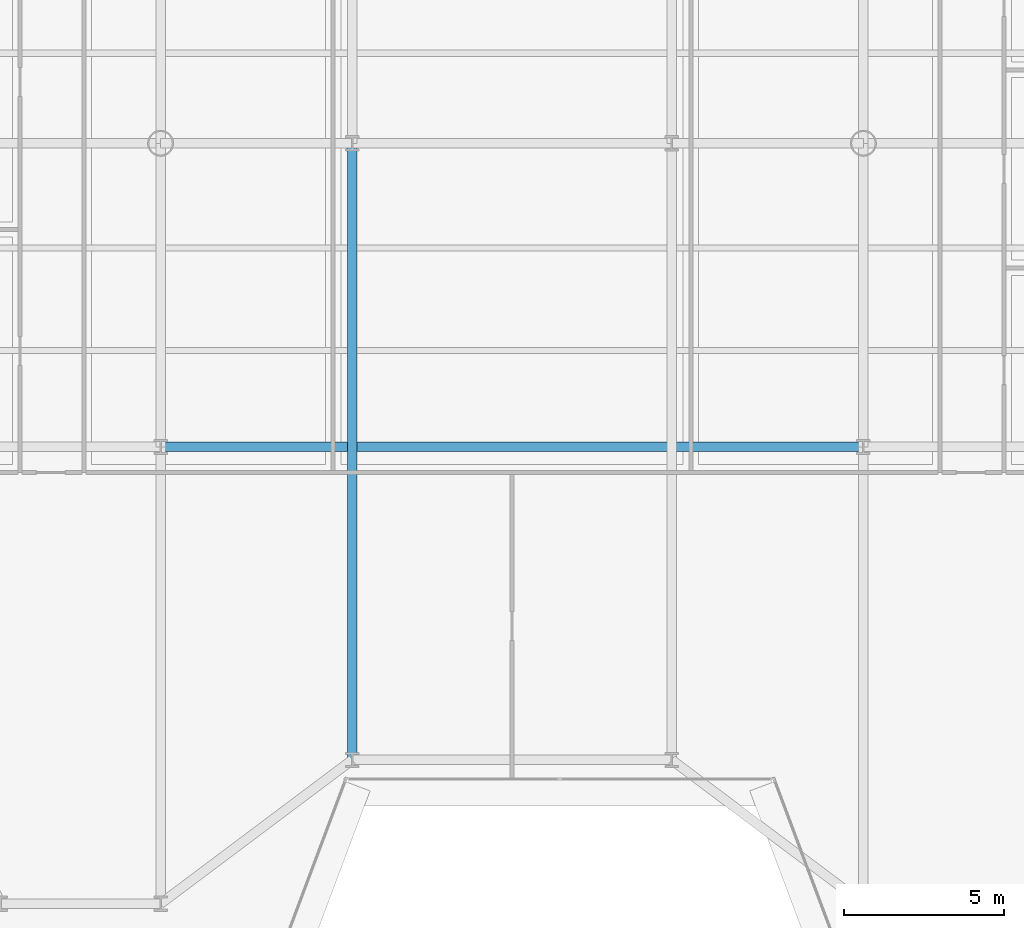
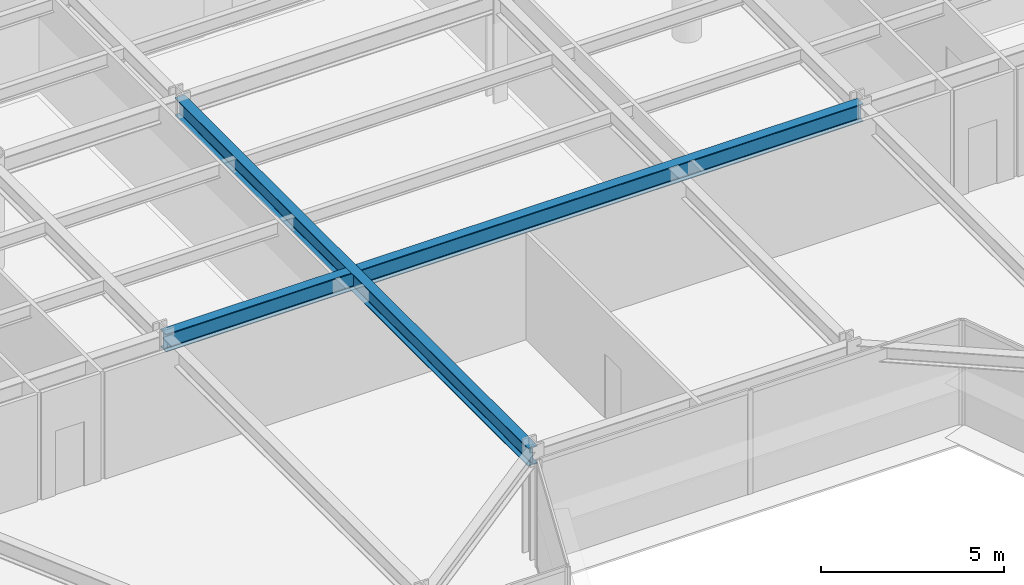
# One storey, part 3 of 17: 2 beams.
"""IFC4 building model written with IfcOpenShell, lengths in metres."""

from ifc_helpers import new_model, si_unit, direction, frame, origin, origin_2d, place, context, subcontext, project, spatial, i_section, extrude, source, transform, mapped, material, material_profile, profile_set, type_object, element, save


model = new_model("IFC4")

# Units and contexts
model_context = context("Model", 3, precision=1e-05, world=origin(), true_north=direction((0.0, 1.0)))
body_context = subcontext(model_context, "Body", "Model", "MODEL_VIEW")
ifc_project = project(units=[si_unit("LENGTHUNIT", "METRE"), si_unit("AREAUNIT", "SQUARE_METRE"), si_unit("VOLUMEUNIT", "CUBIC_METRE"), si_unit("PLANEANGLEUNIT", "RADIAN"), si_unit("MASSUNIT", "GRAM", prefix="KILO")], contexts=[model_context])

# Site, building, storey
site_placement = place(None, origin())
site = spatial("IfcSite", under=ifc_project, at=site_placement, CompositionType="ELEMENT")
building_placement = place(site_placement, origin())
building = spatial("IfcBuilding", under=site, at=building_placement, Name="Vaeldorn Concourse Tower", CompositionType="ELEMENT")
storey_placement = place(building_placement, frame((0.0, 0.0, 169.0)))
storey = spatial("IfcBuildingStorey", under=building, at=storey_placement, Name="L43", CompositionType="ELEMENT", Elevation=169.0)

# Beams
ifc_material = material(Name="Steel S355", Category="steel")
ifc_material_profile = material_profile(ifc_material, i_section(OverallWidth=0.300048828125, OverallDepth=0.60009765625, WebThickness=0.015380859375, FlangeThickness=0.030029296875, FilletRadius=0.027099609375, at=origin_2d()), Name="HEB 600")
ifc_profile_set = profile_set([ifc_material_profile], Name="Steel S355")
beam_type = type_object("IfcBeamType", Name="BM-PG-HEB600", PredefinedType="BEAM", material=ifc_profile_set)
shared_shape_1 = source(origin(), body_context, "Body", "SweptSolid", [
    extrude(i_section(OverallWidth=0.300048828125, OverallDepth=0.60009765625, WebThickness=0.015380859375, FlangeThickness=0.030029296875, FilletRadius=0.027099609375, at=origin_2d()), origin(), (0.0, 0.0, 1.0), 22.0),
])
beam_1_placement = place(storey_placement, frame((23.0, 18.0, 3.280029296875), z_axis=(1.0, 0.0, 0.0), x_axis=(0.0, 1.0, 0.0)))
element("IfcBeam", 1, at=beam_1_placement, inside=storey, type_object=beam_type, Name="Beam BM-L43-C-TW5-C-TW6", PredefinedType="BEAM", context=body_context, shape_type="MappedRepresentation", body=[
    mapped(shared_shape_1, transform((0.0, 0.0, 0.0), scale=1.0)),
])
shared_shape_2 = source(origin(), body_context, "Body", "SweptSolid", [
    extrude(i_section(OverallWidth=0.300048828125, OverallDepth=0.60009765625, WebThickness=0.015380859375, FlangeThickness=0.030029296875, FilletRadius=0.027099609375, at=origin_2d()), origin(), (0.0, 0.0, 1.0), 19.300048828125),
])
beam_2_placement = place(storey_placement, frame((29.0, 8.199951171875, 3.280029296875), z_axis=(0.0, 1.0, 0.0), x_axis=(-1.0, 0.0, 0.0)))
element("IfcBeam", 2, at=beam_2_placement, inside=storey, type_object=beam_type, Name="Beam BM-L43-C-SF3-C-TW2", PredefinedType="BEAM", context=body_context, shape_type="MappedRepresentation", body=[
    mapped(shared_shape_2, transform((0.0, 0.0, 0.0), scale=1.0)),
])

save(model, "model.ifc")
